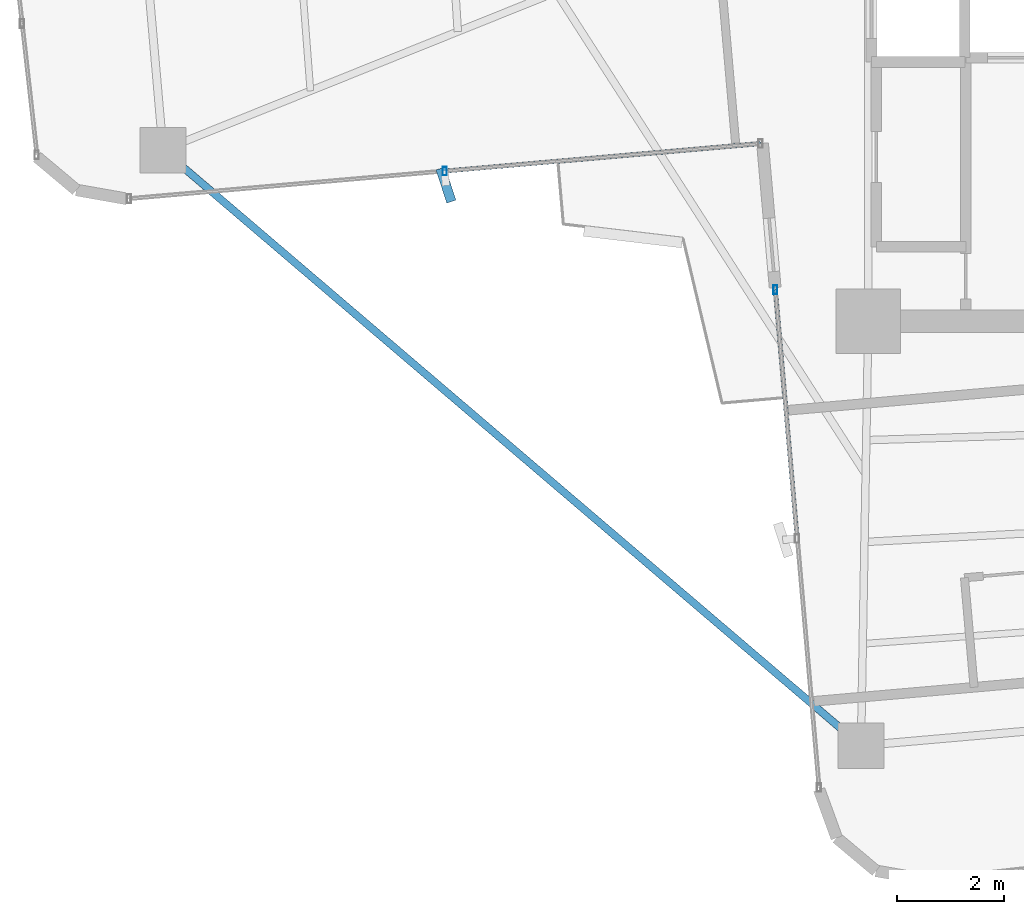
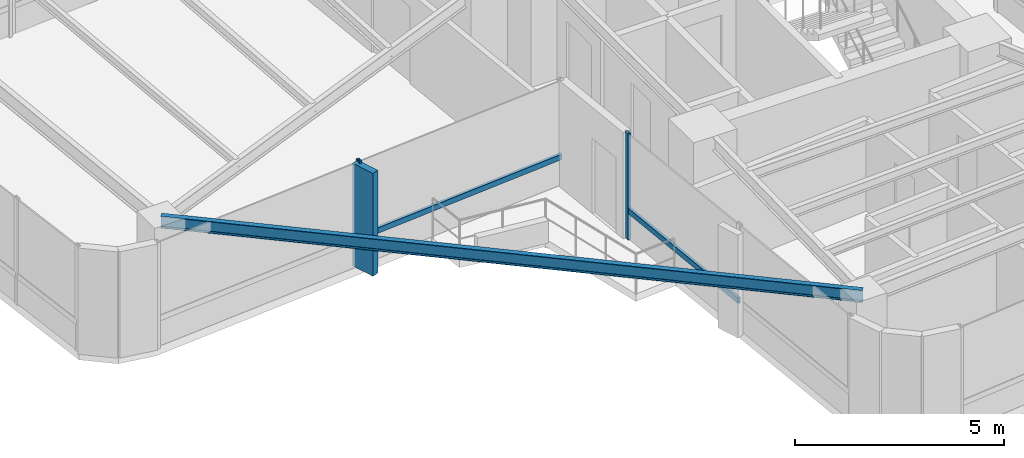
# One storey, part 4 of 24: 5 members, 1 beam, 2 elements without a shape of their own.
"""IFC4 building model written with IfcOpenShell, lengths in metres."""

from ifc_helpers import new_model, si_unit, direction, frame, origin, origin_2d, place, context, subcontext, project, spatial, rectangle, hollow_rectangle, i_section, extrude, source, transform, mapped, material, material_profile, profile_set, type_object, element, aggregate, save


model = new_model("IFC4")

# Units and contexts
model_context = context("Model", 3, precision=1e-05, world=origin(), true_north=direction((0.0, 1.0)))
body_context = subcontext(model_context, "Body", "Model", "MODEL_VIEW")
ifc_project = project(units=[si_unit("LENGTHUNIT", "METRE"), si_unit("AREAUNIT", "SQUARE_METRE"), si_unit("VOLUMEUNIT", "CUBIC_METRE"), si_unit("PLANEANGLEUNIT", "RADIAN"), si_unit("MASSUNIT", "GRAM", prefix="KILO")], contexts=[model_context])

# Site, building, storey
site_placement = place(None, origin())
site = spatial("IfcSite", under=ifc_project, at=site_placement, CompositionType="ELEMENT")
building_placement = place(site_placement, origin())
building = spatial("IfcBuilding", under=site, at=building_placement, Name="Sahyath Konkavel Grand Hotel", CompositionType="ELEMENT")
storey_placement = place(building_placement, frame((0.0, 0.0, 185.25)))
storey = spatial("IfcBuildingStorey", under=building, at=storey_placement, Name="L51", CompositionType="ELEMENT", Elevation=185.25)

# Beam
ifc_material_1 = material(Name="Steel E350", Category="steel")
ifc_material_profile_1 = material_profile(ifc_material_1, i_section(OverallWidth=0.139892578125, OverallDepth=0.35009765625, WebThickness=0.008056640625, FlangeThickness=0.01416015625, FilletRadius=0.013916015625, at=origin_2d()), Name="ISMB 350")
ifc_profile_set_1 = profile_set([ifc_material_profile_1], Name="Steel E350")
beam_type = type_object("IfcBeamType", Name="BM-ISMB350", PredefinedType="BEAM", material=ifc_profile_set_1)
shared_shape_1 = source(origin(), body_context, "Body", "SweptSolid", [
    extrude(i_section(OverallWidth=0.139892578125, OverallDepth=0.35009765625, WebThickness=0.008056640625, FlangeThickness=0.01416015625, FilletRadius=0.013916015625, at=origin_2d()), origin(), (0.0, 0.0, 1.0), 17.11279296875),
])
beam_placement = place(storey_placement, frame((-16.9541015625, -7.00439453125, 2.93505859375), z_axis=(0.760711911164, -0.649089661151, 0.0), x_axis=(0.649089661151, 0.760711911164, 0.0)))
element("IfcBeam", 1, at=beam_placement, inside=storey, type_object=beam_type, Name="L51 Re-Entrant Tie Beam SW", PredefinedType="BEAM", context=body_context, shape_type="MappedRepresentation", body=[
    mapped(shared_shape_1, transform((0.0, 0.0, 0.0), scale=1.0)),
])

# Curtain wall, members
ifc_material_2 = material(Name="Anodised Bronze Aluminium & Low-E Glazing", Category="aluminium")
curtain_wall_type = type_object("IfcCurtainWallType", Name="CW-ZONE3", PredefinedType="NOTDEFINED", material=ifc_material_2)
curtain_wall_1_placement = place(storey_placement, origin())
curtain_wall_1 = element("IfcCurtainWall", 2, at=curtain_wall_1_placement, inside=storey, type_object=curtain_wall_type, Name="L51 Unitised Curtain Wall F23", PredefinedType="NOTDEFINED")
ifc_material_3 = material(Name="Warm Buff Sandstone Cladding on Concrete C50/60", Category="masonry")
ifc_material_profile_2 = material_profile(ifc_material_3, rectangle(XDim=0.179931640625, YDim=0.64990234375, at=origin_2d()), Name="FIN 180x650")
ifc_profile_set_2 = profile_set([ifc_material_profile_2], Name="Warm Buff Sandstone Cladding on Concrete C50/60")
member_type_1 = type_object("IfcMemberType", Name="FIN-SANDSTONE-650", PredefinedType="MULLION", material=ifc_profile_set_2)
shared_shape_2 = source(origin(), body_context, "Body", "SweptSolid", [
    extrude(rectangle(XDim=0.179931640625, YDim=0.64990234375, at=origin_2d()), origin(), (0.0, 0.0, 1.0), 3.010009765625),
])
member_1_placement = place(storey_placement, frame((-11.677001953125, -7.656982421875, 0.050048828125), z_axis=(0.0, 0.0, 1.0), x_axis=(0.951272019071, 0.30835295642, 0.0)))
member_1 = element("IfcMember", 3, at=member_1_placement, type_object=member_type_1, Name="L51 Sandstone Vertical Solar Fin FIN F23-1", PredefinedType="MULLION", context=body_context, shape_type="MappedRepresentation", body=[
    mapped(shared_shape_2, transform((0.0, 0.0, 0.0), scale=1.0)),
])
ifc_material_4 = material(Name="Anodised Bronze Aluminium", Category="aluminium")
ifc_material_profile_3 = material_profile(ifc_material_4, hollow_rectangle(XDim=0.080078125, YDim=0.159912109375, WallThickness=0.006103515625, at=origin_2d()), Name="RHS 160x80x6")
ifc_profile_set_3 = profile_set([ifc_material_profile_3], Name="Anodised Bronze Aluminium")
member_type_2 = type_object("IfcMemberType", Name="CW-MUL-160", PredefinedType="MULLION", material=ifc_profile_set_3)
shared_shape_3 = source(origin(), body_context, "Body", "SweptSolid", [
    extrude(hollow_rectangle(XDim=0.080078125, YDim=0.159912109375, WallThickness=0.006103515625, at=origin_2d()), origin(), (0.0, 0.0, 1.0), 3.110107421875),
])
member_2_placement = place(storey_placement, frame((-11.69970703125, -7.39794921875, 0.0), z_axis=(0.0, 0.0, 1.0), x_axis=(1.0, 0.0, 0.0)))
member_2 = element("IfcMember", 4, at=member_2_placement, type_object=member_type_2, Name="L51 Curtain Wall Mullion F23-1", PredefinedType="MULLION", context=body_context, shape_type="MappedRepresentation", body=[
    mapped(shared_shape_3, transform((0.0, 0.0, 0.0), scale=1.0)),
])

# Curtain wall, member
curtain_wall_2_placement = place(storey_placement, origin())
curtain_wall_2 = element("IfcCurtainWall", 5, at=curtain_wall_2_placement, inside=storey, type_object=curtain_wall_type, Name="L51 Unitised Curtain Wall F24", PredefinedType="NOTDEFINED")
member_3_placement = place(storey_placement, frame((-5.53369140625, -9.60888671875, 0.0), z_axis=(0.0, 0.0, 1.0), x_axis=(1.0, 0.0, 0.0)))
member_3 = element("IfcMember", 6, at=member_3_placement, type_object=member_type_2, Name="L51 Curtain Wall Mullion F24-0", PredefinedType="MULLION", context=body_context, shape_type="MappedRepresentation", body=[
    mapped(shared_shape_3, transform((0.0, 0.0, 0.0), scale=1.0)),
])

# Member
ifc_material_profile_4 = material_profile(ifc_material_4, hollow_rectangle(XDim=0.080078125, YDim=0.159912109375, WallThickness=0.006103515625, at=origin_2d()), Name="RHS 160x80x6")
ifc_profile_set_4 = profile_set([ifc_material_profile_4], Name="Anodised Bronze Aluminium")
member_type_3 = type_object("IfcMemberType", Name="CW-TRN-160", PredefinedType="USERDEFINED", material=ifc_profile_set_4)
shared_shape_4 = source(origin(), body_context, "Body", "SweptSolid", [
    extrude(hollow_rectangle(XDim=0.080078125, YDim=0.159912109375, WallThickness=0.006103515625, at=origin_2d()), origin(), (0.0, 0.0, 1.0), 5.909912109375),
])
member_4_placement = place(storey_placement, frame((-11.69970703125, -7.39794921875, 0.85009765625), z_axis=(0.996193941691, 0.087164388014, 0.0), x_axis=(-0.087164388014, 0.996193941691, 0.0)))
member_4 = element("IfcMember", 7, at=member_4_placement, type_object=member_type_3, Name="L51 Curtain Wall Transom F23-1-spandrel", ObjectType="TRANSOM", PredefinedType="USERDEFINED", context=body_context, shape_type="MappedRepresentation", body=[
    mapped(shared_shape_4, transform((0.0, 0.0, 0.0), scale=1.0)),
])

aggregate(curtain_wall_1, [member_2, member_1, member_4])

shared_shape_5 = source(origin(), body_context, "Body", "SweptSolid", [
    extrude(hollow_rectangle(XDim=0.080078125, YDim=0.159912109375, WallThickness=0.006103515625, at=origin_2d()), origin(), (0.0, 0.0, 1.0), 4.66015625),
])
member_5_placement = place(storey_placement, frame((-5.53369140625, -9.60888671875, 0.85009765625), z_axis=(0.087176698736, -0.996192864458, 0.0), x_axis=(0.996192864458, 0.087176698736, 0.0)))
member_5 = element("IfcMember", 8, at=member_5_placement, type_object=member_type_3, Name="L51 Curtain Wall Transom F24-0-spandrel", ObjectType="TRANSOM", PredefinedType="USERDEFINED", context=body_context, shape_type="MappedRepresentation", body=[
    mapped(shared_shape_5, transform((0.0, 0.0, 0.0), scale=1.0)),
])

aggregate(curtain_wall_2, [member_3, member_5])

save(model, "model.ifc")
